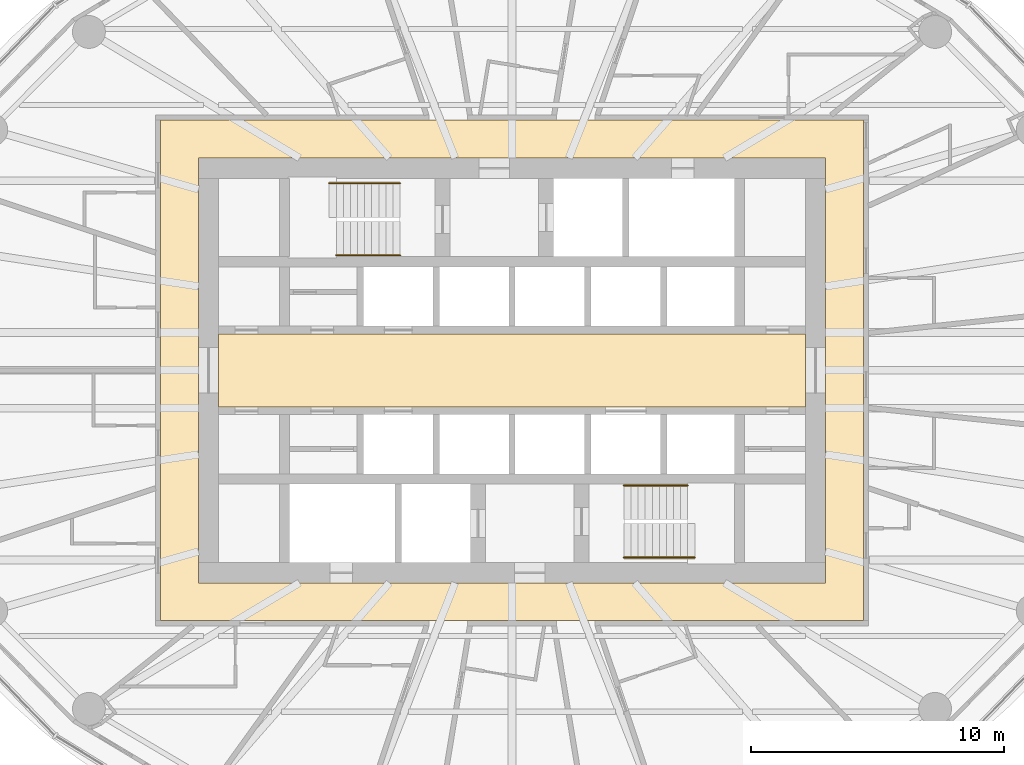
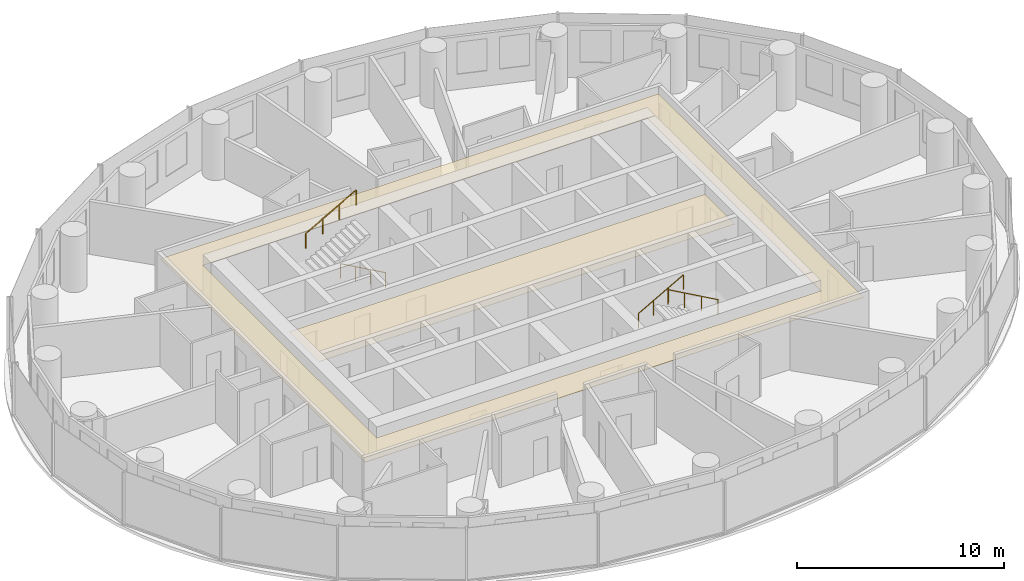
# One storey, part 13 of 13: 4 railings, 2 coverings.
"""IFC4 building model written with IfcOpenShell, lengths in metres."""

from ifc_helpers import new_model, si_unit, direction, frame, origin, origin_2d, place, context, subcontext, project, spatial, polyline, circle, outline, extrude, material, layer, layer_set, type_object, element, save


model = new_model("IFC4")

# Units and contexts
model_context = context("Model", 3, precision=1e-05, world=origin(), true_north=direction((0.0, 1.0)))
body_context = subcontext(model_context, "Body", "Model", "MODEL_VIEW")
ifc_project = project(units=[si_unit("LENGTHUNIT", "METRE"), si_unit("AREAUNIT", "SQUARE_METRE"), si_unit("VOLUMEUNIT", "CUBIC_METRE"), si_unit("PLANEANGLEUNIT", "RADIAN"), si_unit("MASSUNIT", "GRAM", prefix="KILO")], contexts=[model_context])

# Site, building, storey
site_placement = place(None, origin())
site = spatial("IfcSite", under=ifc_project, at=site_placement, CompositionType="ELEMENT")
building_placement = place(site_placement, origin())
building = spatial("IfcBuilding", under=site, at=building_placement, Name="Hankou Lantern Tower", CompositionType="ELEMENT")
storey_placement = place(building_placement, frame((0.0, 0.0, 122.10009765625)))
storey = spatial("IfcBuildingStorey", under=building, at=storey_placement, Name="L31", CompositionType="ELEMENT", Elevation=122.10009765625)

# Coverings
ifc_material_1 = material(Name="Black painted aluminium linear ceiling panels", Category="aluminium")
ifc_layer_1 = layer(ifc_material_1, 0.02490234375)
ifc_layer_set_1 = layer_set([ifc_layer_1], Name="Black painted aluminium linear ceiling panels")
covering_type_1 = type_object("IfcCoveringType", Name="CL1 CORRIDOR CEILING 25", PredefinedType="CEILING", material=ifc_layer_set_1)
covering_1_placement = place(storey_placement, frame((0.0, 0.0, 2.64501953125)))
element("IfcCovering", 1, at=covering_1_placement, inside=storey, type_object=covering_type_1, Name="Corridor ceiling L31", PredefinedType="CEILING", context=body_context, shape_type="SweptSolid", body=[
    extrude(outline(polyline([(-13.89990234375, -9.89990234375), (13.89990234375, -9.89990234375), (13.89990234375, 9.89990234375), (-13.89990234375, 9.89990234375), (-13.89990234375, -9.89990234375)]), holes=[polyline([(-12.39990234375, 8.39990234375), (12.39990234375, 8.39990234375), (12.39990234375, -8.39990234375), (-12.39990234375, -8.39990234375), (-12.39990234375, 8.39990234375)])]), origin(), (0.0, 0.0, 1.0), 0.02490234375),
])
ifc_material_2 = material(Name="Perforated black aluminium acoustic tray ceiling", Category="aluminium")
ifc_layer_2 = layer(ifc_material_2, 0.014892578125)
ifc_layer_set_2 = layer_set([ifc_layer_2], Name="Perforated black aluminium acoustic tray ceiling")
covering_type_2 = type_object("IfcCoveringType", Name="CL2 LIFT LOBBY CEILING 15", PredefinedType="CEILING", material=ifc_layer_set_2)
covering_2_placement = place(storey_placement, frame((0.0, 0.0, 2.65478515625)))
element("IfcCovering", 2, at=covering_2_placement, inside=storey, type_object=covering_type_2, Name="Lift lobby ceiling L31", PredefinedType="CEILING", context=body_context, shape_type="SweptSolid", body=[
    extrude(outline(polyline([(-11.60009765625, -1.449951171875), (11.60009765625, -1.449951171875), (11.60009765625, 1.449951171875), (-11.60009765625, 1.449951171875), (-11.60009765625, -1.449951171875)])), origin(), (0.0, 0.0, 1.0), 0.01513671875),
])

# Railings
ifc_material_3 = material(Name="Steel handrail", Category="steel")
railing_type = type_object("IfcRailingType", Name="HR1 STAIR HANDRAIL", PredefinedType="HANDRAIL", material=ifc_material_3)
railing_1_placement = place(storey_placement, frame((-4.429931640625, 4.550048828125, 0.89990234375)))
element("IfcRailing", 3, at=railing_1_placement, inside=storey, type_object=railing_type, Name="Handrail stair STA L31 flight 1", PredefinedType="HANDRAIL", context=body_context, shape_type="SweptSolid", body=[
    extrude(circle(Radius=0.02392578125, at=origin_2d()), frame((0.0, 0.0, 0.8759765625), z_axis=(-0.872048945198, 0.0, 0.489418672692), x_axis=(0.0, -1.0, 0.0)), (0.0, 0.0, 1.0), 2.8896484375),
    extrude(circle(Radius=0.02099609375, at=origin_2d()), origin(), (0.0, 0.0, 1.0), 0.851806640625),
    extrude(circle(Radius=0.02099609375, at=origin_2d()), frame((-0.840087890625, 0.0, 0.471435546875)), (0.0, 0.0, 1.0), 0.851806640625),
    extrude(circle(Radius=0.02099609375, at=origin_2d()), frame((-1.679931640625, 0.0, 0.94287109375)), (0.0, 0.0, 1.0), 0.851806640625),
    extrude(circle(Radius=0.02099609375, at=origin_2d()), frame((-2.52001953125, 0.0, 1.414306640625)), (0.0, 0.0, 1.0), 0.851806640625),
])
railing_2_placement = place(storey_placement, frame((-7.22998046875, 7.39990234375, 2.471435546875)))
element("IfcRailing", 4, at=railing_2_placement, inside=storey, type_object=railing_type, Name="Handrail stair STA L31 flight 2", PredefinedType="HANDRAIL", context=body_context, shape_type="SweptSolid", body=[
    extrude(circle(Radius=0.02392578125, at=origin_2d()), frame((0.0, 0.0, 0.8759765625), z_axis=(0.872072602893, 0.0, 0.489376516891), x_axis=(0.0, 1.0, 0.0)), (0.0, 0.0, 1.0), 3.210693359375),
    extrude(circle(Radius=0.02099609375, at=origin_2d()), origin(), (0.0, 0.0, 1.0), 0.851806640625),
    extrude(circle(Radius=0.02099609375, at=origin_2d()), frame((0.933349609375, 0.0, 0.523681640625)), (0.0, 0.0, 1.0), 0.851806640625),
    extrude(circle(Radius=0.02099609375, at=origin_2d()), frame((1.86669921875, 0.0, 1.047607421875)), (0.0, 0.0, 1.0), 0.851806640625),
    extrude(circle(Radius=0.02099609375, at=origin_2d()), frame((2.800048828125, 0.0, 1.5712890625)), (0.0, 0.0, 1.0), 0.851806640625),
])
railing_3_placement = place(storey_placement, frame((4.429931640625, -4.550048828125, 0.89990234375)))
element("IfcRailing", 5, at=railing_3_placement, inside=storey, type_object=railing_type, Name="Handrail stair STB L31 flight 1", PredefinedType="HANDRAIL", context=body_context, shape_type="SweptSolid", body=[
    extrude(circle(Radius=0.02392578125, at=origin_2d()), frame((0.0, 0.0, 0.8759765625), z_axis=(0.872048945198, 0.0, 0.489418672692), x_axis=(0.0, 1.0, 0.0)), (0.0, 0.0, 1.0), 2.8896484375),
    extrude(circle(Radius=0.02099609375, at=origin_2d()), origin(), (0.0, 0.0, 1.0), 0.851806640625),
    extrude(circle(Radius=0.02099609375, at=origin_2d()), frame((0.840087890625, 0.0, 0.471435546875)), (0.0, 0.0, 1.0), 0.851806640625),
    extrude(circle(Radius=0.02099609375, at=origin_2d()), frame((1.679931640625, 0.0, 0.94287109375)), (0.0, 0.0, 1.0), 0.851806640625),
    extrude(circle(Radius=0.02099609375, at=origin_2d()), frame((2.52001953125, 0.0, 1.414306640625)), (0.0, 0.0, 1.0), 0.851806640625),
])
railing_4_placement = place(storey_placement, frame((7.22998046875, -7.39990234375, 2.471435546875)))
element("IfcRailing", 6, at=railing_4_placement, inside=storey, type_object=railing_type, Name="Handrail stair STB L31 flight 2", PredefinedType="HANDRAIL", context=body_context, shape_type="SweptSolid", body=[
    extrude(circle(Radius=0.02392578125, at=origin_2d()), frame((0.0, 0.0, 0.8759765625), z_axis=(-0.872072602893, 0.0, 0.489376516891), x_axis=(0.0, -1.0, 0.0)), (0.0, 0.0, 1.0), 3.210693359375),
    extrude(circle(Radius=0.02099609375, at=origin_2d()), origin(), (0.0, 0.0, 1.0), 0.851806640625),
    extrude(circle(Radius=0.02099609375, at=origin_2d()), frame((-0.933349609375, 0.0, 0.523681640625)), (0.0, 0.0, 1.0), 0.851806640625),
    extrude(circle(Radius=0.02099609375, at=origin_2d()), frame((-1.86669921875, 0.0, 1.047607421875)), (0.0, 0.0, 1.0), 0.851806640625),
    extrude(circle(Radius=0.02099609375, at=origin_2d()), frame((-2.800048828125, 0.0, 1.5712890625)), (0.0, 0.0, 1.0), 0.851806640625),
])

save(model, "model.ifc")
